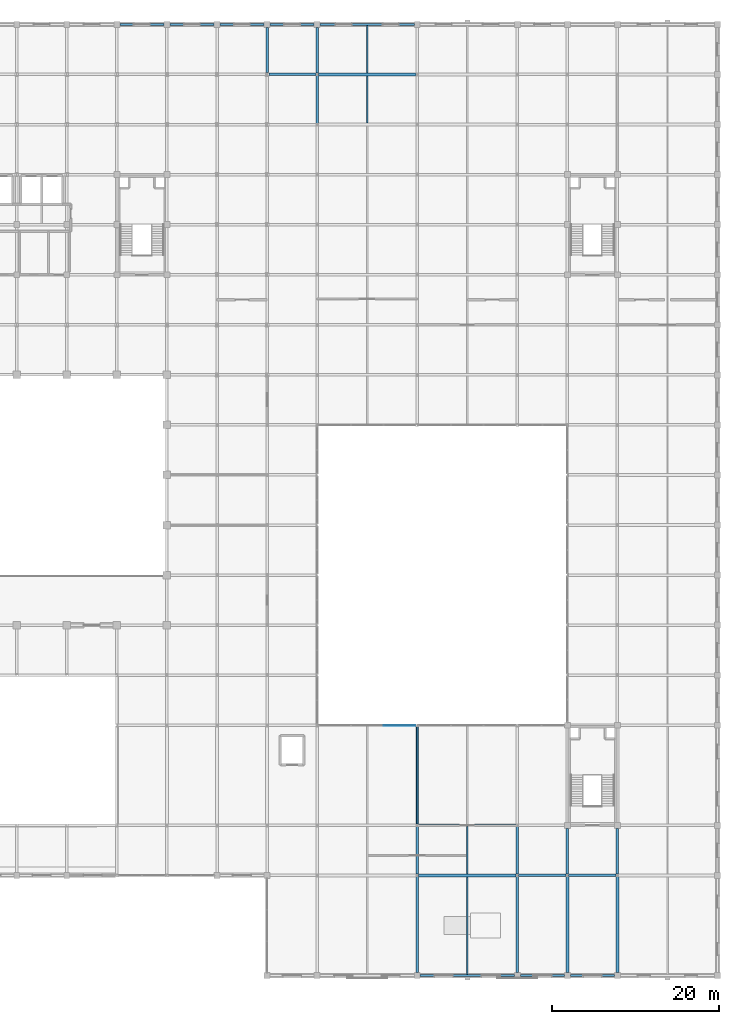
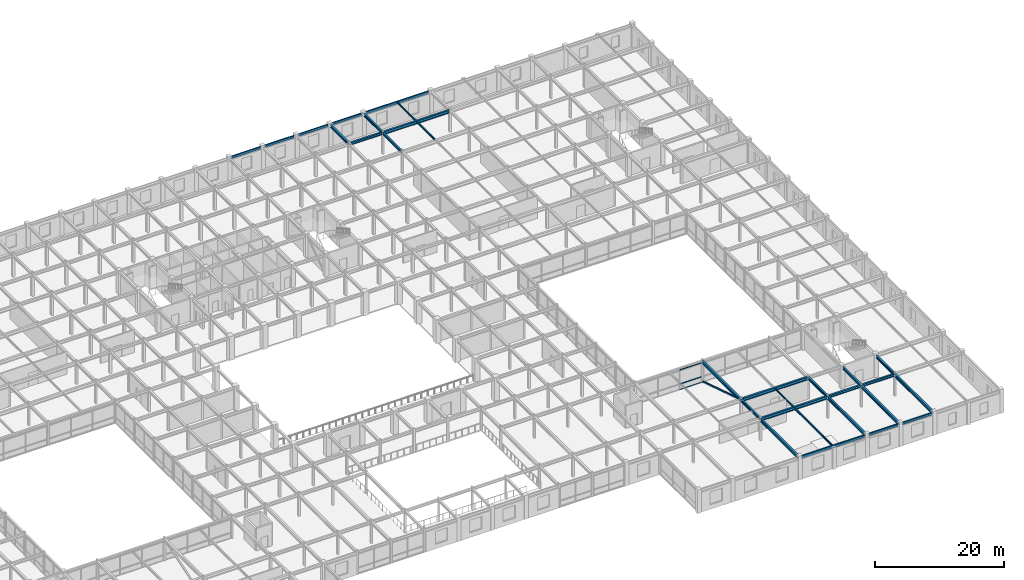
# One storey, part 78 of 108: 30 beams, 4 members, 1 element without a shape of its own.
"""IFC4 building model written with IfcOpenShell, lengths in metres."""

from ifc_helpers import new_model, si_unit, direction, frame, origin, origin_2d, place, context, subcontext, project, spatial, hollow_rectangle, i_section, extrude, material, layer, layer_set, material_profile, profile_set, type_object, element, aggregate, save


model = new_model("IFC4")

# Units and contexts
model_context = context("Model", 3, precision=1e-05, world=origin(), true_north=direction((0.0, 1.0)))
body_context = subcontext(model_context, "Body", "Model", "MODEL_VIEW")
ifc_project = project(units=[si_unit("LENGTHUNIT", "METRE"), si_unit("AREAUNIT", "SQUARE_METRE"), si_unit("VOLUMEUNIT", "CUBIC_METRE"), si_unit("PLANEANGLEUNIT", "RADIAN"), si_unit("MASSUNIT", "GRAM", prefix="KILO")], contexts=[model_context])

# Site, building, storey
site_placement = place(None, origin())
site = spatial("IfcSite", under=ifc_project, at=site_placement, CompositionType="ELEMENT")
building_placement = place(site_placement, origin())
building = spatial("IfcBuilding", under=site, at=building_placement, Name="Zlatovratsky Civic Hall", CompositionType="ELEMENT")
storey_placement = place(building_placement, frame((0.0, 0.0, 12.0)))
storey = spatial("IfcBuildingStorey", under=building, at=storey_placement, Name="L03", CompositionType="ELEMENT", Elevation=12.0)

# Beams
ifc_material_1 = material(Name="Steel S355", Category="steel")
ifc_material_profile_1 = material_profile(ifc_material_1, i_section(OverallWidth=0.300048828125, OverallDepth=0.48193359375, WebThickness=0.010986328125, FlangeThickness=0.014892578125, FilletRadius=0.02392578125, at=origin_2d()), Name="50Sh1")
ifc_profile_set_1 = profile_set([ifc_material_profile_1], Name="Steel S355")
beam_type_1 = type_object("IfcBeamType", Name="Beam_LibraryGirder_50Sh1", PredefinedType="BEAM", material=ifc_profile_set_1)
for number, where, z_axis, x_axis, name in (
    (1, (144.1494140625, 12.0, 3.97900390625), (1.0, 0.0, 0.0), (0.0, 1.0, 0.0), "BM-2500"),
    (2, (150.1494140625, 12.0, 3.97900390625), (1.0, 0.0, 0.0), (0.0, 1.0, 0.0), "BM-2501"),
):
    element("IfcBeam", number, at=place(storey_placement, frame(where, z_axis=z_axis, x_axis=x_axis)), inside=storey, type_object=beam_type_1, Name=name, PredefinedType="BEAM", context=body_context, shape_type="SweptSolid", body=[
        extrude(i_section(OverallWidth=0.300048828125, OverallDepth=0.48193359375, WebThickness=0.010986328125, FlangeThickness=0.014892578125, FilletRadius=0.02392578125, at=origin_2d()), origin(), (0.0, 0.0, 1.0), 5.701171875),
    ])
beam_1_placement = place(storey_placement, frame((114.202392578125, 108.0, 3.97900390625), z_axis=(1.0, 0.0, 0.0), x_axis=(0.0, 1.0, 0.0)))
element("IfcBeam", 3, at=beam_1_placement, inside=storey, type_object=beam_type_1, Name="BM-2765", PredefinedType="BEAM", context=body_context, shape_type="SweptSolid", body=[
    extrude(i_section(OverallWidth=0.300048828125, OverallDepth=0.48193359375, WebThickness=0.010986328125, FlangeThickness=0.014892578125, FilletRadius=0.02392578125, at=origin_2d()), origin(), (0.0, 0.0, 1.0), 5.648193359375),
])
beam_2_placement = place(storey_placement, frame((114.0, 108.208984375, 3.97900390625), z_axis=(0.0, 1.0, 0.0), x_axis=(-1.0, 0.0, 0.0)))
element("IfcBeam", 4, at=beam_2_placement, inside=storey, type_object=beam_type_1, Name="BM-3029", PredefinedType="BEAM", context=body_context, shape_type="SweptSolid", body=[
    extrude(i_section(OverallWidth=0.300048828125, OverallDepth=0.48193359375, WebThickness=0.010986328125, FlangeThickness=0.014892578125, FilletRadius=0.02392578125, at=origin_2d()), origin(), (0.0, 0.0, 1.0), 5.44091796875),
])
beam_3_placement = place(storey_placement, frame((120.0, 102.14794921875, 3.97900390625), z_axis=(0.0, 1.0, 0.0), x_axis=(-1.0, 0.0, 0.0)))
element("IfcBeam", 5, at=beam_3_placement, inside=storey, type_object=beam_type_1, Name="BM-3045", PredefinedType="BEAM", context=body_context, shape_type="SweptSolid", body=[
    extrude(i_section(OverallWidth=0.300048828125, OverallDepth=0.48193359375, WebThickness=0.010986328125, FlangeThickness=0.014892578125, FilletRadius=0.02392578125, at=origin_2d()), origin(), (0.0, 0.0, 1.0), 5.7041015625),
])
beam_4_placement = place(storey_placement, frame((120.0, 108.14794921875, 3.97900390625), z_axis=(0.0, 1.0, 0.0), x_axis=(-1.0, 0.0, 0.0)))
element("IfcBeam", 6, at=beam_4_placement, inside=storey, type_object=beam_type_1, Name="BM-3046", PredefinedType="BEAM", context=body_context, shape_type="SweptSolid", body=[
    extrude(i_section(OverallWidth=0.300048828125, OverallDepth=0.48193359375, WebThickness=0.010986328125, FlangeThickness=0.014892578125, FilletRadius=0.02392578125, at=origin_2d()), origin(), (0.0, 0.0, 1.0), 5.501953125),
])
for number, where, z_axis, x_axis, name in (
    (7, (132.0, 12.14794921875, 3.97900390625), (0.0, 1.0, 0.0), (-1.0, 0.0, 0.0), "BM-3048"),
    (8, (144.0, 12.14794921875, 3.97900390625), (0.0, 1.0, 0.0), (-1.0, 0.0, 0.0), "BM-3059"),
):
    element("IfcBeam", number, at=place(storey_placement, frame(where, z_axis=z_axis, x_axis=x_axis)), inside=storey, type_object=beam_type_1, Name=name, PredefinedType="BEAM", context=body_context, shape_type="SweptSolid", body=[
        extrude(i_section(OverallWidth=0.300048828125, OverallDepth=0.48193359375, WebThickness=0.010986328125, FlangeThickness=0.014892578125, FilletRadius=0.02392578125, at=origin_2d()), origin(), (0.0, 0.0, 1.0), 5.7041015625),
    ])
for number, where, z_axis, x_axis, name in (
    (9, (150.0, 12.14794921875, 3.97900390625), (0.0, 1.0, 0.0), (-1.0, 0.0, 0.0), "BM-3070"),
    (10, (156.0, 12.14794921875, 3.97900390625), (0.0, 1.0, 0.0), (-1.0, 0.0, 0.0), "BM-3087"),
):
    element("IfcBeam", number, at=place(storey_placement, frame(where, z_axis=z_axis, x_axis=x_axis)), inside=storey, type_object=beam_type_1, Name=name, PredefinedType="BEAM", context=body_context, shape_type="SweptSolid", body=[
        extrude(i_section(OverallWidth=0.300048828125, OverallDepth=0.48193359375, WebThickness=0.010986328125, FlangeThickness=0.014892578125, FilletRadius=0.02392578125, at=origin_2d()), origin(), (0.0, 0.0, 1.0), 5.501953125),
    ])
ifc_material_profile_2 = material_profile(ifc_material_1, i_section(OverallWidth=0.320068359375, OverallDepth=0.58203125, WebThickness=0.011962890625, FlangeThickness=0.01708984375, FilletRadius=0.02392578125, at=origin_2d()), Name="60Sh1")
ifc_profile_set_2 = profile_set([ifc_material_profile_2], Name="Steel S355")
beam_type_2 = type_object("IfcBeamType", Name="Beam_PodiumGirder_60Sh1", PredefinedType="BEAM", material=ifc_profile_set_2)
for number, where, z_axis, x_axis, name in (
    (11, (132.1494140625, 12.0, 3.928955078125), (1.0, 0.0, 0.0), (0.0, 1.0, 0.0), "BM-2499"),
    (12, (132.1494140625, 18.0, 3.928955078125), (1.0, 0.0, 0.0), (0.0, 1.0, 0.0), "BM-2521"),
    (13, (120.1494140625, 108.0, 3.928955078125), (1.0, 0.0, 0.0), (0.0, 1.0, 0.0), "BM-2766"),
):
    element("IfcBeam", number, at=place(storey_placement, frame(where, z_axis=z_axis, x_axis=x_axis)), inside=storey, type_object=beam_type_2, Name=name, PredefinedType="BEAM", context=body_context, shape_type="SweptSolid", body=[
        extrude(i_section(OverallWidth=0.320068359375, OverallDepth=0.58203125, WebThickness=0.011962890625, FlangeThickness=0.01708984375, FilletRadius=0.02392578125, at=origin_2d()), origin(), (0.0, 0.0, 1.0), 11.701171875),
    ])
beam_5_placement = place(storey_placement, frame((132.0, 0.35009765625, 3.928955078125), z_axis=(0.0, 1.0, 0.0), x_axis=(-1.0, 0.0, 0.0)))
element("IfcBeam", 14, at=beam_5_placement, inside=storey, type_object=beam_type_2, Name="BM-3047", PredefinedType="BEAM", context=body_context, shape_type="SweptSolid", body=[
    extrude(i_section(OverallWidth=0.320068359375, OverallDepth=0.58203125, WebThickness=0.011962890625, FlangeThickness=0.01708984375, FilletRadius=0.02392578125, at=origin_2d()), origin(), (0.0, 0.0, 1.0), 11.501953125),
])
beam_6_placement = place(storey_placement, frame((132.0, 18.14794921875, 3.928955078125), z_axis=(0.0, 1.0, 0.0), x_axis=(-1.0, 0.0, 0.0)))
element("IfcBeam", 15, at=beam_6_placement, inside=storey, type_object=beam_type_2, Name="BM-3049", PredefinedType="BEAM", context=body_context, shape_type="SweptSolid", body=[
    extrude(i_section(OverallWidth=0.320068359375, OverallDepth=0.58203125, WebThickness=0.011962890625, FlangeThickness=0.01708984375, FilletRadius=0.02392578125, at=origin_2d()), origin(), (0.0, 0.0, 1.0), 11.7041015625),
])
for number, where, z_axis, x_axis, name in (
    (16, (144.0, 0.35009765625, 3.928955078125), (0.0, 1.0, 0.0), (-1.0, 0.0, 0.0), "BM-3058"),
    (17, (150.0, 0.35009765625, 3.928955078125), (0.0, 1.0, 0.0), (-1.0, 0.0, 0.0), "BM-3069"),
    (18, (156.0, 0.35009765625, 3.928955078125), (0.0, 1.0, 0.0), (-1.0, 0.0, 0.0), "BM-3086"),
):
    element("IfcBeam", number, at=place(storey_placement, frame(where, z_axis=z_axis, x_axis=x_axis)), inside=storey, type_object=beam_type_2, Name=name, PredefinedType="BEAM", context=body_context, shape_type="SweptSolid", body=[
        extrude(i_section(OverallWidth=0.320068359375, OverallDepth=0.58203125, WebThickness=0.011962890625, FlangeThickness=0.01708984375, FilletRadius=0.02392578125, at=origin_2d()), origin(), (0.0, 0.0, 1.0), 11.501953125),
    ])
ifc_material_profile_3 = material_profile(ifc_material_1, i_section(OverallWidth=0.198974609375, OverallDepth=0.491943359375, WebThickness=0.0087890625, FlangeThickness=0.011962890625, FilletRadius=0.01611328125, at=origin_2d()), Name="50B1")
ifc_profile_set_3 = profile_set([ifc_material_profile_3], Name="Steel S355")
beam_type_3 = type_object("IfcBeamType", Name="Beam_Spandrel_50B1", PredefinedType="SPANDREL", material=ifc_profile_set_3)
for number, where, z_axis, x_axis, name in (
    (19, (144.35009765625, 0.0, 3.97412109375), (1.0, 0.0, 0.0), (0.0, 1.0, 0.0), "BM-2478"),
    (20, (150.35009765625, 0.0, 3.97412109375), (1.0, 0.0, 0.0), (0.0, 1.0, 0.0), "BM-2479"),
    (21, (96.35009765625, 114.0, 3.97412109375), (1.0, 0.0, 0.0), (0.0, 1.0, 0.0), "BM-2784"),
    (22, (102.35009765625, 114.0, 3.97412109375), (1.0, 0.0, 0.0), (0.0, 1.0, 0.0), "BM-2785"),
    (23, (108.35009765625, 114.0, 3.97412109375), (1.0, 0.0, 0.0), (0.0, 1.0, 0.0), "BM-2786"),
    (24, (114.35009765625, 114.0, 3.97412109375), (1.0, 0.0, 0.0), (0.0, 1.0, 0.0), "BM-2787"),
):
    element("IfcBeam", number, at=place(storey_placement, frame(where, z_axis=z_axis, x_axis=x_axis)), inside=storey, type_object=beam_type_3, Name=name, PredefinedType="SPANDREL", context=body_context, shape_type="SweptSolid", body=[
        extrude(i_section(OverallWidth=0.198974609375, OverallDepth=0.491943359375, WebThickness=0.0087890625, FlangeThickness=0.011962890625, FilletRadius=0.01611328125, at=origin_2d()), origin(), (0.0, 0.0, 1.0), 5.2998046875),
    ])
ifc_material_profile_4 = material_profile(ifc_material_1, i_section(OverallWidth=0.219970703125, OverallDepth=0.54296875, WebThickness=0.009521484375, FlangeThickness=0.013427734375, FilletRadius=0.01806640625, at=origin_2d()), Name="55B1")
ifc_profile_set_4 = profile_set([ifc_material_profile_4], Name="Steel S355")
beam_type_4 = type_object("IfcBeamType", Name="Beam_Spandrel_55B1", PredefinedType="SPANDREL", material=ifc_profile_set_4)
for number, where, z_axis, x_axis, name in (
    (25, (132.35009765625, 0.0, 3.948486328125), (1.0, 0.0, 0.0), (0.0, 1.0, 0.0), "BM-2477"),
    (26, (120.35009765625, 114.0, 3.948486328125), (1.0, 0.0, 0.0), (0.0, 1.0, 0.0), "BM-2788"),
):
    element("IfcBeam", number, at=place(storey_placement, frame(where, z_axis=z_axis, x_axis=x_axis)), inside=storey, type_object=beam_type_4, Name=name, PredefinedType="SPANDREL", context=body_context, shape_type="SweptSolid", body=[
        extrude(i_section(OverallWidth=0.219970703125, OverallDepth=0.54296875, WebThickness=0.009521484375, FlangeThickness=0.013427734375, FilletRadius=0.01806640625, at=origin_2d()), origin(), (0.0, 0.0, 1.0), 11.2998046875),
    ])

# Member
ifc_material_profile_5 = material_profile(ifc_material_1, hollow_rectangle(XDim=0.219970703125, YDim=0.219970703125, WallThickness=0.010009765625, at=origin_2d()), Name="SHS 220x220x10")
ifc_profile_set_5 = profile_set([ifc_material_profile_5], Name="Steel S355")
member_type_1 = type_object("IfcMemberType", Name="Brace_Podium_SHS220", PredefinedType="BRACE", material=ifc_profile_set_5)
member_1_placement = place(storey_placement, frame((132.0, 18.14794921875, 3.949951171875), z_axis=(0.0, 0.953490939985, -0.301421677002), x_axis=(-1.0, 0.0, 0.0)))
element("IfcMember", 27, at=member_1_placement, inside=storey, type_object=member_type_1, Name="MB-0113", PredefinedType="BRACE", context=body_context, shape_type="SweptSolid", body=[
    extrude(hollow_rectangle(XDim=0.219970703125, YDim=0.219970703125, WallThickness=0.010009765625, at=origin_2d()), origin(), (0.0, 0.0, 1.0), 12.27490234375),
])

# Curtain wall, members
ifc_material_2 = material(Name="Anodised bronze aluminium", Category="aluminium")
ifc_layer = layer(ifc_material_2, 0.159912109375)
ifc_layer_set = layer_set([ifc_layer], Name="Anodised bronze aluminium")
curtain_wall_type = type_object("IfcCurtainWallType", Name="CurtainWall_Bronze_11700x3770_11", PredefinedType="NOTDEFINED", material=ifc_layer_set)
curtain_wall_placement = place(storey_placement, origin())
curtain_wall = element("IfcCurtainWall", 28, at=curtain_wall_placement, inside=storey, type_object=curtain_wall_type, Name="CW-069", PredefinedType="NOTDEFINED")
ifc_material_profile_6 = material_profile(ifc_material_2, hollow_rectangle(XDim=0.06005859375, YDim=0.139892578125, WallThickness=0.00390625, at=origin_2d()), Name="ALU 60x140x4")
ifc_profile_set_6 = profile_set([ifc_material_profile_6], Name="Anodised bronze aluminium")
member_type_2 = type_object("IfcMemberType", Name="CW_Transom_60x140", PredefinedType="USERDEFINED", material=ifc_profile_set_6)
member_2_placement = place(storey_placement, frame((127.980224609375, 30.0, 0.030029296875), z_axis=(1.0, 0.0, 0.0), x_axis=(0.0, 1.0, 0.0)))
member_2 = element("IfcMember", 29, at=member_2_placement, type_object=member_type_2, Name="CW-11 transom 3.1", ObjectType="TRANSOM", PredefinedType="USERDEFINED", context=body_context, shape_type="SweptSolid", body=[
    extrude(hollow_rectangle(XDim=0.06005859375, YDim=0.139892578125, WallThickness=0.00390625, at=origin_2d()), origin(), (0.0, 0.0, 1.0), 3.810302734375),
])
member_3_placement = place(storey_placement, frame((127.980224609375, 30.0, 1.10009765625), z_axis=(1.0, 0.0, 0.0), x_axis=(0.0, 1.0, 0.0)))
member_3 = element("IfcMember", 30, at=member_3_placement, type_object=member_type_2, Name="CW-11 transom 3.2", ObjectType="TRANSOM", PredefinedType="USERDEFINED", context=body_context, shape_type="SweptSolid", body=[
    extrude(hollow_rectangle(XDim=0.06005859375, YDim=0.139892578125, WallThickness=0.00390625, at=origin_2d()), origin(), (0.0, 0.0, 1.0), 3.810302734375),
])
member_4_placement = place(storey_placement, frame((127.980224609375, 30.0, 3.739990234375), z_axis=(1.0, 0.0, 0.0), x_axis=(0.0, 1.0, 0.0)))
member_4 = element("IfcMember", 31, at=member_4_placement, type_object=member_type_2, Name="CW-11 transom 3.3", ObjectType="TRANSOM", PredefinedType="USERDEFINED", context=body_context, shape_type="SweptSolid", body=[
    extrude(hollow_rectangle(XDim=0.06005859375, YDim=0.139892578125, WallThickness=0.00390625, at=origin_2d()), origin(), (0.0, 0.0, 1.0), 3.810302734375),
])
aggregate(curtain_wall, [member_2, member_3, member_4])

# Beams
ifc_material_profile_7 = material_profile(ifc_material_1, i_section(OverallWidth=0.175048828125, OverallDepth=0.35009765625, WebThickness=0.007080078125, FlangeThickness=0.010986328125, FilletRadius=0.013916015625, at=origin_2d()), Name="35B2")
ifc_profile_set_7 = profile_set([ifc_material_profile_7], Name="Steel S355")
beam_type_5 = type_object("IfcBeamType", Name="Joist_Heavy_35B2", PredefinedType="JOIST", material=ifc_profile_set_7)
beam_7_placement = place(storey_placement, frame((138.0, 0.110107421875, 4.044921875), z_axis=(0.0, 1.0, 0.0), x_axis=(-1.0, 0.0, 0.0)))
element("IfcBeam", 32, at=beam_7_placement, inside=storey, type_object=beam_type_5, Name="BM-3124", PredefinedType="JOIST", context=body_context, shape_type="SweptSolid", body=[
    extrude(i_section(OverallWidth=0.175048828125, OverallDepth=0.35009765625, WebThickness=0.007080078125, FlangeThickness=0.010986328125, FilletRadius=0.013916015625, at=origin_2d()), origin(), (0.0, 0.0, 1.0), 11.72998046875),
])
ifc_material_profile_8 = material_profile(ifc_material_1, i_section(OverallWidth=0.14892578125, OverallDepth=0.2958984375, WebThickness=0.005615234375, FlangeThickness=0.008056640625, FilletRadius=0.012939453125, at=origin_2d()), Name="30B1")
ifc_profile_set_8 = profile_set([ifc_material_profile_8], Name="Steel S355")
beam_type_6 = type_object("IfcBeamType", Name="Joist_Tower_30B1", PredefinedType="JOIST", material=ifc_profile_set_8)
for number, where, z_axis, x_axis, name in (
    (33, (138.0, 12.159912109375, 4.072021484375), (0.0, 1.0, 0.0), (-1.0, 0.0, 0.0), "BM-3130"),
    (34, (126.0, 102.159912109375, 4.072021484375), (0.0, 1.0, 0.0), (-1.0, 0.0, 0.0), "BM-3191"),
):
    element("IfcBeam", number, at=place(storey_placement, frame(where, z_axis=z_axis, x_axis=x_axis)), inside=storey, type_object=beam_type_6, Name=name, PredefinedType="JOIST", context=body_context, shape_type="SweptSolid", body=[
        extrude(i_section(OverallWidth=0.14892578125, OverallDepth=0.2958984375, WebThickness=0.005615234375, FlangeThickness=0.008056640625, FilletRadius=0.012939453125, at=origin_2d()), origin(), (0.0, 0.0, 1.0), 5.68017578125),
    ])
beam_8_placement = place(storey_placement, frame((126.0, 108.159912109375, 4.072021484375), z_axis=(0.0, 1.0, 0.0), x_axis=(-1.0, 0.0, 0.0)))
element("IfcBeam", 35, at=beam_8_placement, inside=storey, type_object=beam_type_6, Name="BM-3197", PredefinedType="JOIST", context=body_context, shape_type="SweptSolid", body=[
    extrude(i_section(OverallWidth=0.14892578125, OverallDepth=0.2958984375, WebThickness=0.005615234375, FlangeThickness=0.008056640625, FilletRadius=0.012939453125, at=origin_2d()), origin(), (0.0, 0.0, 1.0), 5.72998046875),
])

save(model, "model.ifc")
